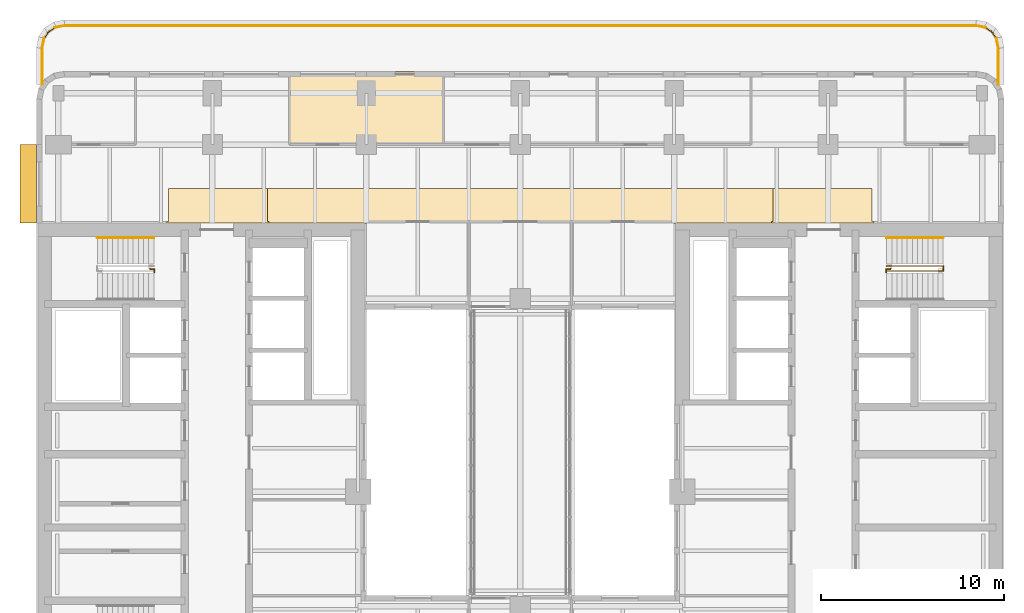
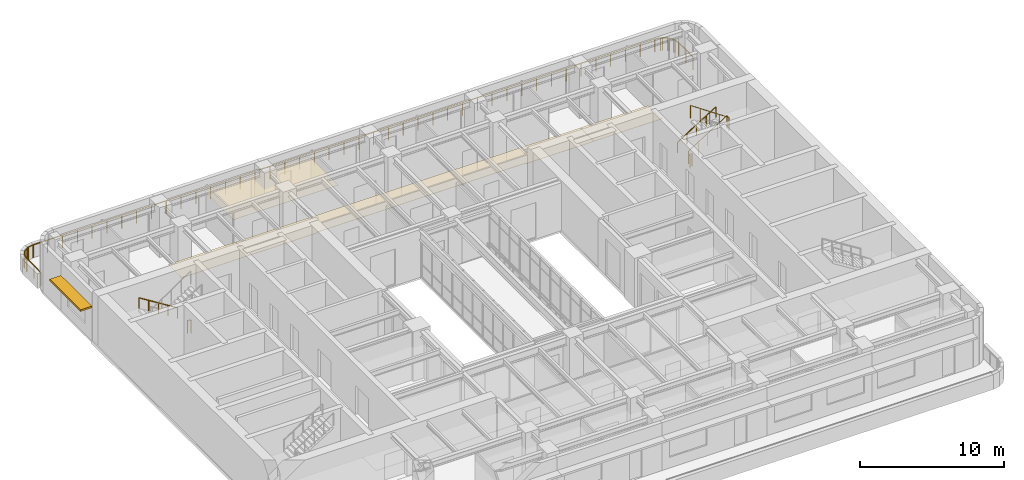
# One storey, part 15 of 15: 16 railings, 4 coverings, 1 shading device.
"""IFC4 building model written with IfcOpenShell, lengths in metres."""

from ifc_helpers import new_model, si_unit, direction, frame, origin, origin_2d, place, context, subcontext, project, spatial, polyline, rectangle, circle, outline, extrude, material, layer, layer_set, type_object, element, save


model = new_model("IFC4")

# Units and contexts
model_context = context("Model", 3, precision=1e-05, world=origin(), true_north=direction((0.0, 1.0)))
body_context = subcontext(model_context, "Body", "Model", "MODEL_VIEW")
ifc_project = project(units=[si_unit("LENGTHUNIT", "METRE"), si_unit("AREAUNIT", "SQUARE_METRE"), si_unit("VOLUMEUNIT", "CUBIC_METRE"), si_unit("PLANEANGLEUNIT", "RADIAN"), si_unit("MASSUNIT", "GRAM", prefix="KILO")], contexts=[model_context])

# Site, building, storey
site_placement = place(None, origin())
site = spatial("IfcSite", under=ifc_project, at=site_placement, CompositionType="ELEMENT")
building_placement = place(site_placement, origin())
building = spatial("IfcBuilding", under=site, at=building_placement, Name="Claustro Exchange Tower", CompositionType="ELEMENT")
storey_placement = place(building_placement, frame((0.0, 0.0, 173.39990234375)))
storey = spatial("IfcBuildingStorey", under=building, at=storey_placement, Name="L39", CompositionType="ELEMENT", Elevation=173.39990234375)

# Coverings
ifc_material_1 = material(Name="Perforated metal ceiling tiles", Category="steel")
ifc_layer_1 = layer(ifc_material_1, 0.030029296875)
ifc_layer_set_1 = layer_set([ifc_layer_1], Name="Perforated metal ceiling tiles")
covering_type_1 = type_object("IfcCoveringType", Name="CL1 suspended metal ceiling", PredefinedType="CEILING", material=ifc_layer_set_1)
covering_1_placement = place(storey_placement, frame((0.0, 0.0, 2.800048828125)))
element("IfcCovering", 1, at=covering_1_placement, inside=storey, type_object=covering_type_1, Name="Ceiling CL1 L39-22", PredefinedType="CEILING", context=body_context, shape_type="SweptSolid", body=[
    extrude(outline(polyline([(6.0, 37.800048828125), (5.905029296875, 37.800048828125), (5.905029296875, 37.72509765625), (11.4951171875, 37.72509765625), (11.4951171875, 37.800048828125), (11.39990234375, 37.800048828125), (11.39990234375, 39.60009765625), (6.0, 39.60009765625), (6.0, 37.800048828125)])), origin(), (0.0, 0.0, 1.0), 0.030029296875),
])
covering_2_placement = place(storey_placement, frame((0.0, 0.0, 2.800048828125)))
element("IfcCovering", 2, at=covering_2_placement, inside=storey, type_object=covering_type_1, Name="Ceiling CL1 L39-23", PredefinedType="CEILING", context=body_context, shape_type="SweptSolid", body=[
    extrude(outline(polyline([(11.39990234375, 37.800048828125), (11.304931640625, 37.800048828125), (11.304931640625, 37.72509765625), (16.72509765625, 37.72509765625), (16.72509765625, 37.705078125), (16.800048828125, 37.705078125), (16.800048828125, 37.800048828125), (33.60009765625, 37.800048828125), (33.60009765625, 37.705078125), (33.675048828125, 37.705078125), (33.675048828125, 37.72509765625), (39.094970703125, 37.72509765625), (39.094970703125, 37.800048828125), (39.0, 37.800048828125), (39.0, 39.60009765625), (11.39990234375, 39.60009765625), (11.39990234375, 37.800048828125)])), origin(), (0.0, 0.0, 1.0), 0.030029296875),
])
covering_3_placement = place(storey_placement, frame((0.0, 0.0, 2.800048828125)))
element("IfcCovering", 3, at=covering_3_placement, inside=storey, type_object=covering_type_1, Name="Ceiling CL1 L39-24", PredefinedType="CEILING", context=body_context, shape_type="SweptSolid", body=[
    extrude(outline(polyline([(39.0, 37.800048828125), (38.905029296875, 37.800048828125), (38.905029296875, 37.72509765625), (44.4951171875, 37.72509765625), (44.4951171875, 37.800048828125), (44.39990234375, 37.800048828125), (44.39990234375, 39.60009765625), (39.0, 39.60009765625), (39.0, 37.800048828125)])), origin(), (0.0, 0.0, 1.0), 0.030029296875),
])
ifc_material_2 = material(Name="Gypsum board ceiling", Category="gypsum board")
ifc_layer_2 = layer(ifc_material_2, 0.02490234375)
ifc_layer_set_2 = layer_set([ifc_layer_2], Name="Gypsum board ceiling")
covering_type_2 = type_object("IfcCoveringType", Name="CL2 plasterboard ceiling", PredefinedType="CEILING", material=ifc_layer_set_2)
covering_4_placement = place(storey_placement, frame((0.0, 0.0, 2.800048828125)))
element("IfcCovering", 4, at=covering_4_placement, inside=storey, type_object=covering_type_2, Name="Ceiling CL2 L39-27", PredefinedType="CEILING", context=body_context, shape_type="SweptSolid", body=[
    extrude(outline(polyline([(21.0, 46.0), (12.60009765625, 46.0), (12.60009765625, 42.0), (21.0, 42.0), (21.0, 46.0)])), origin(), (0.0, 0.0, 1.0), 0.025146484375),
])

# Railings
ifc_material_3 = material(Name="Steel balustrade, painted", Category="steel")
railing_type_1 = type_object("IfcRailingType", Name="GR2 1100 steel stair guard", PredefinedType="GUARDRAIL", material=ifc_material_3)
railing_1_placement = place(storey_placement, frame((5.0, 35.22998046875, 0.0)))
element("IfcRailing", 5, at=railing_1_placement, inside=storey, type_object=railing_type_1, Name="Stair guard GR2 STWB L39", PredefinedType="GUARDRAIL", context=body_context, shape_type="SweptSolid", body=[
    extrude(circle(Radius=0.02392578125, at=origin_2d()), frame((0.0, 0.0, 1.076171875), z_axis=(0.0, -1.0, 0.0), x_axis=(1.0, 0.0, 0.0)), (0.0, 0.0, 1.0), 0.030029296875),
    extrude(circle(Radius=0.02392578125, at=origin_2d()), frame((0.0, -0.030029296875, 1.076171875), z_axis=(1.0, 0.0, 0.0), x_axis=(0.0, 1.0, 0.0)), (0.0, 0.0, 1.0), 0.22509765625),
    extrude(circle(Radius=0.02392578125, at=origin_2d()), frame((0.22509765625, -0.030029296875, 1.076171875), z_axis=(0.0, -1.0, 0.0), x_axis=(1.0, 0.0, 0.0)), (0.0, 0.0, 1.0), 0.179931640625),
    extrude(circle(Radius=0.02099609375, at=origin_2d()), origin(), (0.0, 0.0, 1.0), 1.052001953125),
    extrude(circle(Radius=0.02099609375, at=origin_2d()), frame((0.0, -0.030029296875, 0.0)), (0.0, 0.0, 1.0), 1.052001953125),
    extrude(circle(Radius=0.02099609375, at=origin_2d()), frame((0.22509765625, -0.030029296875, 0.0)), (0.0, 0.0, 1.0), 1.052001953125),
    extrude(circle(Radius=0.02099609375, at=origin_2d()), frame((0.22509765625, -0.2099609375, 0.0)), (0.0, 0.0, 1.0), 1.052001953125),
])
railing_2_placement = place(storey_placement, frame((45.199951171875, 35.375, 0.175048828125)))
element("IfcRailing", 6, at=railing_2_placement, inside=storey, type_object=railing_type_1, Name="Stair well guard GR2 stair STEB L39", PredefinedType="GUARDRAIL", context=body_context, shape_type="SweptSolid", body=[
    extrude(circle(Radius=0.02392578125, at=origin_2d()), frame((0.0, 0.0, 1.076171875), z_axis=(0.847998304005, 0.0, 0.529998940003), x_axis=(0.0, 1.0, 0.0)), (0.0, 0.0, 1.0), 3.632080078125),
    extrude(circle(Radius=0.02392578125, at=origin_2d()), frame((3.080078125, 0.0, 3.0009765625), z_axis=(0.0, -1.0, 0.0), x_axis=(1.0, 0.0, 0.0)), (0.0, 0.0, 1.0), 0.27490234375),
    extrude(circle(Radius=0.02392578125, at=origin_2d()), frame((3.080078125, -0.27490234375, 3.0009765625), z_axis=(-0.826221800596, 0.0, 0.563344953133), x_axis=(0.0, -1.0, 0.0)), (0.0, 0.0, 1.0), 3.72802734375),
    extrude(circle(Radius=0.02099609375, at=origin_2d()), origin(), (0.0, 0.0, 1.0), 1.052001953125),
    extrude(circle(Radius=0.02099609375, at=origin_2d()), frame((0.77001953125, 0.0, 0.481201171875)), (0.0, 0.0, 1.0), 1.052001953125),
    extrude(circle(Radius=0.02099609375, at=origin_2d()), frame((1.5400390625, 0.0, 0.96240234375)), (0.0, 0.0, 1.0), 1.052001953125),
    extrude(circle(Radius=0.02099609375, at=origin_2d()), frame((2.31005859375, 0.0, 1.44384765625)), (0.0, 0.0, 1.0), 1.052001953125),
    extrude(circle(Radius=0.02099609375, at=origin_2d()), frame((3.080078125, 0.0, 1.925048828125)), (0.0, 0.0, 1.0), 1.052001953125),
    extrude(circle(Radius=0.02099609375, at=origin_2d()), frame((3.080078125, -0.27490234375, 1.925048828125)), (0.0, 0.0, 1.0), 1.052001953125),
    extrude(circle(Radius=0.02099609375, at=origin_2d()), frame((2.31005859375, -0.27490234375, 2.4501953125)), (0.0, 0.0, 1.0), 1.052001953125),
    extrude(circle(Radius=0.02099609375, at=origin_2d()), frame((1.5400390625, -0.27490234375, 2.97509765625)), (0.0, 0.0, 1.0), 1.052001953125),
    extrude(circle(Radius=0.02099609375, at=origin_2d()), frame((0.77001953125, -0.27490234375, 3.5)), (0.0, 0.0, 1.0), 1.052001953125),
    extrude(circle(Radius=0.02099609375, at=origin_2d()), frame((0.0, -0.27490234375, 4.025146484375)), (0.0, 0.0, 1.0), 1.052001953125),
])
railing_3_placement = place(storey_placement, frame((45.39990234375, 35.22998046875, 0.0)))
element("IfcRailing", 7, at=railing_3_placement, inside=storey, type_object=railing_type_1, Name="Stair guard GR2 STEB L39", PredefinedType="GUARDRAIL", context=body_context, shape_type="SweptSolid", body=[
    extrude(circle(Radius=0.02392578125, at=origin_2d()), frame((0.0, 0.0, 1.076171875), z_axis=(0.0, -1.0, 0.0), x_axis=(1.0, 0.0, 0.0)), (0.0, 0.0, 1.0), 0.030029296875),
    extrude(circle(Radius=0.02392578125, at=origin_2d()), frame((0.0, -0.030029296875, 1.076171875), z_axis=(-1.0, 0.0, 0.0), x_axis=(0.0, -1.0, 0.0)), (0.0, 0.0, 1.0), 0.224853515625),
    extrude(circle(Radius=0.02392578125, at=origin_2d()), frame((-0.224853515625, -0.030029296875, 1.076171875), z_axis=(0.0, -1.0, 0.0), x_axis=(1.0, 0.0, 0.0)), (0.0, 0.0, 1.0), 0.179931640625),
    extrude(circle(Radius=0.02099609375, at=origin_2d()), origin(), (0.0, 0.0, 1.0), 1.052001953125),
    extrude(circle(Radius=0.02099609375, at=origin_2d()), frame((0.0, -0.030029296875, 0.0)), (0.0, 0.0, 1.0), 1.052001953125),
    extrude(circle(Radius=0.02099609375, at=origin_2d()), frame((-0.224853515625, -0.030029296875, 0.0)), (0.0, 0.0, 1.0), 1.052001953125),
    extrude(circle(Radius=0.02099609375, at=origin_2d()), frame((-0.224853515625, -0.2099609375, 0.0)), (0.0, 0.0, 1.0), 1.052001953125),
])
ifc_material_4 = material(Name="Stainless steel posts and rail, laminated glass infill", Category="steel")
railing_type_2 = type_object("IfcRailingType", Name="GR3 1100 terrace guard railing", PredefinedType="GUARDRAIL", material=ifc_material_4)
railing_4_placement = place(storey_placement, frame((-0.828125, 47.701904296875, 0.0)))
element("IfcRailing", 8, at=railing_4_placement, inside=storey, type_object=railing_type_2, Name="Terrace guard GR3 L39", PredefinedType="GUARDRAIL", context=body_context, shape_type="SweptSolid", body=[
    extrude(circle(Radius=0.02392578125, at=origin_2d()), frame((0.0, 0.0, 1.076171875), z_axis=(0.555662511211, 0.831407946579, 0.0), x_axis=(-0.831407946579, 0.555662511211, 0.0)), (0.0, 0.0, 1.0), 0.585205078125),
    extrude(circle(Radius=0.02099609375, at=origin_2d()), origin(), (0.0, 0.0, 1.0), 1.052001953125),
    extrude(circle(Radius=0.02099609375, at=origin_2d()), frame((0.3251953125, 0.486572265625, 0.0)), (0.0, 0.0, 1.0), 1.052001953125),
])
railing_5_placement = place(storey_placement, frame((-0.58837890625, 48.10302734375, 0.0)))
element("IfcRailing", 9, at=railing_5_placement, inside=storey, type_object=railing_type_2, Name="Terrace guard GR3 L39", PredefinedType="GUARDRAIL", context=body_context, shape_type="SweptSolid", body=[
    extrude(circle(Radius=0.02392578125, at=origin_2d()), frame((0.0, 0.0, 1.076171875), z_axis=(0.831600663598, 0.555374050802, 0.0), x_axis=(-0.555374050802, 0.831600663598, 0.0)), (0.0, 0.0, 1.0), 0.585205078125),
    extrude(circle(Radius=0.02099609375, at=origin_2d()), origin(), (0.0, 0.0, 1.0), 1.052001953125),
    extrude(circle(Radius=0.02099609375, at=origin_2d()), frame((0.486572265625, 0.324951171875, 0.0)), (0.0, 0.0, 1.0), 1.052001953125),
])
railing_6_placement = place(storey_placement, frame((-0.21337890625, 48.3818359375, 0.0)))
element("IfcRailing", 10, at=railing_6_placement, inside=storey, type_object=railing_type_2, Name="Terrace guard GR3 L39", PredefinedType="GUARDRAIL", context=body_context, shape_type="SweptSolid", body=[
    extrude(circle(Radius=0.02392578125, at=origin_2d()), frame((0.0, 0.0, 1.076171875), z_axis=(0.980756771825, 0.195233589627, 0.0), x_axis=(-0.195233589627, 0.980756771825, 0.0)), (0.0, 0.0, 1.0), 0.585205078125),
    extrude(circle(Radius=0.02099609375, at=origin_2d()), origin(), (0.0, 0.0, 1.0), 1.052001953125),
    extrude(circle(Radius=0.02099609375, at=origin_2d()), frame((0.573974609375, 0.1142578125, 0.0)), (0.0, 0.0, 1.0), 1.052001953125),
])
railing_7_placement = place(storey_placement, frame((0.300048828125, 48.489990234375, 0.0)))
element("IfcRailing", 11, at=railing_7_placement, inside=storey, type_object=railing_type_2, Name="Terrace guard GR3 L39", PredefinedType="GUARDRAIL", context=body_context, shape_type="SweptSolid", body=[
    extrude(circle(Radius=0.02392578125, at=origin_2d()), frame((0.0, 0.0, 1.076171875), z_axis=(1.0, 0.0, 0.0), x_axis=(0.0, 1.0, 0.0)), (0.0, 0.0, 1.0), 49.800048828125),
    extrude(circle(Radius=0.02099609375, at=origin_2d()), origin(), (0.0, 0.0, 1.0), 1.052001953125),
    extrude(circle(Radius=0.02099609375, at=origin_2d()), frame((1.185791015625, 0.0, 0.0)), (0.0, 0.0, 1.0), 1.052001953125),
    extrude(circle(Radius=0.02099609375, at=origin_2d()), frame((2.371337890625, 0.0, 0.0)), (0.0, 0.0, 1.0), 1.052001953125),
    extrude(circle(Radius=0.02099609375, at=origin_2d()), frame((3.55712890625, 0.0, 0.0)), (0.0, 0.0, 1.0), 1.052001953125),
    extrude(circle(Radius=0.02099609375, at=origin_2d()), frame((4.742919921875, 0.0, 0.0)), (0.0, 0.0, 1.0), 1.052001953125),
    extrude(circle(Radius=0.02099609375, at=origin_2d()), frame((5.928466796875, 0.0, 0.0)), (0.0, 0.0, 1.0), 1.052001953125),
    extrude(circle(Radius=0.02099609375, at=origin_2d()), frame((7.1142578125, 0.0, 0.0)), (0.0, 0.0, 1.0), 1.052001953125),
    extrude(circle(Radius=0.02099609375, at=origin_2d()), frame((8.300048828125, 0.0, 0.0)), (0.0, 0.0, 1.0), 1.052001953125),
    extrude(circle(Radius=0.02099609375, at=origin_2d()), frame((9.48583984375, 0.0, 0.0)), (0.0, 0.0, 1.0), 1.052001953125),
    extrude(circle(Radius=0.02099609375, at=origin_2d()), frame((10.67138671875, 0.0, 0.0)), (0.0, 0.0, 1.0), 1.052001953125),
    extrude(circle(Radius=0.02099609375, at=origin_2d()), frame((11.857177734375, 0.0, 0.0)), (0.0, 0.0, 1.0), 1.052001953125),
    extrude(circle(Radius=0.02099609375, at=origin_2d()), frame((13.04296875, 0.0, 0.0)), (0.0, 0.0, 1.0), 1.052001953125),
    extrude(circle(Radius=0.02099609375, at=origin_2d()), frame((14.228515625, 0.0, 0.0)), (0.0, 0.0, 1.0), 1.052001953125),
    extrude(circle(Radius=0.02099609375, at=origin_2d()), frame((15.414306640625, 0.0, 0.0)), (0.0, 0.0, 1.0), 1.052001953125),
    extrude(circle(Radius=0.02099609375, at=origin_2d()), frame((16.60009765625, 0.0, 0.0)), (0.0, 0.0, 1.0), 1.052001953125),
    extrude(circle(Radius=0.02099609375, at=origin_2d()), frame((17.78564453125, 0.0, 0.0)), (0.0, 0.0, 1.0), 1.052001953125),
    extrude(circle(Radius=0.02099609375, at=origin_2d()), frame((18.971435546875, 0.0, 0.0)), (0.0, 0.0, 1.0), 1.052001953125),
    extrude(circle(Radius=0.02099609375, at=origin_2d()), frame((20.1572265625, 0.0, 0.0)), (0.0, 0.0, 1.0), 1.052001953125),
    extrude(circle(Radius=0.02099609375, at=origin_2d()), frame((21.3427734375, 0.0, 0.0)), (0.0, 0.0, 1.0), 1.052001953125),
    extrude(circle(Radius=0.02099609375, at=origin_2d()), frame((22.528564453125, 0.0, 0.0)), (0.0, 0.0, 1.0), 1.052001953125),
    extrude(circle(Radius=0.02099609375, at=origin_2d()), frame((23.71435546875, 0.0, 0.0)), (0.0, 0.0, 1.0), 1.052001953125),
    extrude(circle(Radius=0.02099609375, at=origin_2d()), frame((24.89990234375, 0.0, 0.0)), (0.0, 0.0, 1.0), 1.052001953125),
    extrude(circle(Radius=0.02099609375, at=origin_2d()), frame((26.085693359375, 0.0, 0.0)), (0.0, 0.0, 1.0), 1.052001953125),
    extrude(circle(Radius=0.02099609375, at=origin_2d()), frame((27.271484375, 0.0, 0.0)), (0.0, 0.0, 1.0), 1.052001953125),
    extrude(circle(Radius=0.02099609375, at=origin_2d()), frame((28.457275390625, 0.0, 0.0)), (0.0, 0.0, 1.0), 1.052001953125),
    extrude(circle(Radius=0.02099609375, at=origin_2d()), frame((29.642822265625, 0.0, 0.0)), (0.0, 0.0, 1.0), 1.052001953125),
    extrude(circle(Radius=0.02099609375, at=origin_2d()), frame((30.82861328125, 0.0, 0.0)), (0.0, 0.0, 1.0), 1.052001953125),
    extrude(circle(Radius=0.02099609375, at=origin_2d()), frame((32.014404296875, 0.0, 0.0)), (0.0, 0.0, 1.0), 1.052001953125),
    extrude(circle(Radius=0.02099609375, at=origin_2d()), frame((33.199951171875, 0.0, 0.0)), (0.0, 0.0, 1.0), 1.052001953125),
    extrude(circle(Radius=0.02099609375, at=origin_2d()), frame((34.3857421875, 0.0, 0.0)), (0.0, 0.0, 1.0), 1.052001953125),
    extrude(circle(Radius=0.02099609375, at=origin_2d()), frame((35.571533203125, 0.0, 0.0)), (0.0, 0.0, 1.0), 1.052001953125),
    extrude(circle(Radius=0.02099609375, at=origin_2d()), frame((36.757080078125, 0.0, 0.0)), (0.0, 0.0, 1.0), 1.052001953125),
    extrude(circle(Radius=0.02099609375, at=origin_2d()), frame((37.94287109375, 0.0, 0.0)), (0.0, 0.0, 1.0), 1.052001953125),
    extrude(circle(Radius=0.02099609375, at=origin_2d()), frame((39.128662109375, 0.0, 0.0)), (0.0, 0.0, 1.0), 1.052001953125),
    extrude(circle(Radius=0.02099609375, at=origin_2d()), frame((40.314208984375, 0.0, 0.0)), (0.0, 0.0, 1.0), 1.052001953125),
    extrude(circle(Radius=0.02099609375, at=origin_2d()), frame((41.5, 0.0, 0.0)), (0.0, 0.0, 1.0), 1.052001953125),
    extrude(circle(Radius=0.02099609375, at=origin_2d()), frame((42.685791015625, 0.0, 0.0)), (0.0, 0.0, 1.0), 1.052001953125),
    extrude(circle(Radius=0.02099609375, at=origin_2d()), frame((43.87158203125, 0.0, 0.0)), (0.0, 0.0, 1.0), 1.052001953125),
    extrude(circle(Radius=0.02099609375, at=origin_2d()), frame((45.05712890625, 0.0, 0.0)), (0.0, 0.0, 1.0), 1.052001953125),
    extrude(circle(Radius=0.02099609375, at=origin_2d()), frame((46.242919921875, 0.0, 0.0)), (0.0, 0.0, 1.0), 1.052001953125),
    extrude(circle(Radius=0.02099609375, at=origin_2d()), frame((47.4287109375, 0.0, 0.0)), (0.0, 0.0, 1.0), 1.052001953125),
    extrude(circle(Radius=0.02099609375, at=origin_2d()), frame((48.6142578125, 0.0, 0.0)), (0.0, 0.0, 1.0), 1.052001953125),
    extrude(circle(Radius=0.02099609375, at=origin_2d()), frame((49.800048828125, 0.0, 0.0)), (0.0, 0.0, 1.0), 1.052001953125),
])
railing_8_placement = place(storey_placement, frame((50.03955078125, 48.49609375, 0.0)))
element("IfcRailing", 12, at=railing_8_placement, inside=storey, type_object=railing_type_2, Name="Terrace guard GR3 L39", PredefinedType="GUARDRAIL", context=body_context, shape_type="SweptSolid", body=[
    extrude(circle(Radius=0.02392578125, at=origin_2d()), frame((0.0, 0.0, 1.076171875), z_axis=(0.980756771825, -0.195233589627, 0.0), x_axis=(0.195233589627, 0.980756771825, 0.0)), (0.0, 0.0, 1.0), 0.585205078125),
    extrude(circle(Radius=0.02099609375, at=origin_2d()), origin(), (0.0, 0.0, 1.0), 1.052001953125),
    extrude(circle(Radius=0.02099609375, at=origin_2d()), frame((0.573974609375, -0.1142578125, 0.0)), (0.0, 0.0, 1.0), 1.052001953125),
])
railing_9_placement = place(storey_placement, frame((50.501708984375, 48.427978515625, 0.0)))
element("IfcRailing", 13, at=railing_9_placement, inside=storey, type_object=railing_type_2, Name="Terrace guard GR3 L39", PredefinedType="GUARDRAIL", context=body_context, shape_type="SweptSolid", body=[
    extrude(circle(Radius=0.02392578125, at=origin_2d()), frame((0.0, 0.0, 1.076171875), z_axis=(0.831729296682, -0.555181391115, 0.0), x_axis=(0.555181391115, 0.831729296682, 0.0)), (0.0, 0.0, 1.0), 0.585205078125),
    extrude(circle(Radius=0.02099609375, at=origin_2d()), origin(), (0.0, 0.0, 1.0), 1.052001953125),
    extrude(circle(Radius=0.02099609375, at=origin_2d()), frame((0.48681640625, -0.324951171875, 0.0)), (0.0, 0.0, 1.0), 1.052001953125),
])
railing_10_placement = place(storey_placement, frame((50.903076171875, 48.1884765625, 0.0)))
element("IfcRailing", 14, at=railing_10_placement, inside=storey, type_object=railing_type_2, Name="Terrace guard GR3 L39", PredefinedType="GUARDRAIL", context=body_context, shape_type="SweptSolid", body=[
    extrude(circle(Radius=0.02392578125, at=origin_2d()), frame((0.0, 0.0, 1.076171875), z_axis=(0.555374050802, -0.831600663598, 0.0), x_axis=(0.831600663598, 0.555374050802, 0.0)), (0.0, 0.0, 1.0), 0.585205078125),
    extrude(circle(Radius=0.02099609375, at=origin_2d()), origin(), (0.0, 0.0, 1.0), 1.052001953125),
    extrude(circle(Radius=0.02099609375, at=origin_2d()), frame((0.324951171875, -0.486572265625, 0.0)), (0.0, 0.0, 1.0), 1.052001953125),
])
railing_11_placement = place(storey_placement, frame((51.181884765625, 47.8134765625, 0.0)))
element("IfcRailing", 15, at=railing_11_placement, inside=storey, type_object=railing_type_2, Name="Terrace guard GR3 L39", PredefinedType="GUARDRAIL", context=body_context, shape_type="SweptSolid", body=[
    extrude(circle(Radius=0.02392578125, at=origin_2d()), frame((0.0, 0.0, 1.076171875), z_axis=(0.1948322756, -0.980836573739, 0.0), x_axis=(0.980836573739, 0.1948322756, 0.0)), (0.0, 0.0, 1.0), 0.585205078125),
    extrude(circle(Radius=0.02099609375, at=origin_2d()), origin(), (0.0, 0.0, 1.0), 1.052001953125),
    extrude(circle(Radius=0.02099609375, at=origin_2d()), frame((0.114013671875, -0.573974609375, 0.0)), (0.0, 0.0, 1.0), 1.052001953125),
])
railing_12_placement = place(storey_placement, frame((51.2900390625, 47.300048828125, 0.0)))
element("IfcRailing", 16, at=railing_12_placement, inside=storey, type_object=railing_type_2, Name="Terrace guard GR3 L39", PredefinedType="GUARDRAIL", context=body_context, shape_type="SweptSolid", body=[
    extrude(circle(Radius=0.02392578125, at=origin_2d()), frame((0.0, 0.0, 1.076171875), z_axis=(0.0, -1.0, 0.0), x_axis=(1.0, 0.0, 0.0)), (0.0, 0.0, 1.0), 2.023193359375),
    extrude(circle(Radius=0.02099609375, at=origin_2d()), origin(), (0.0, 0.0, 1.0), 1.052001953125),
    extrude(circle(Radius=0.02099609375, at=origin_2d()), frame((0.0, -1.01171875, 0.0)), (0.0, 0.0, 1.0), 1.052001953125),
    extrude(circle(Radius=0.02099609375, at=origin_2d()), frame((0.0, -2.023193359375, 0.0)), (0.0, 0.0, 1.0), 1.052001953125),
])
railing_13_placement = place(storey_placement, frame((-0.889892578125, 45.27685546875, 0.0)))
element("IfcRailing", 17, at=railing_13_placement, inside=storey, type_object=railing_type_2, Name="Terrace guard GR3 L39", PredefinedType="GUARDRAIL", context=body_context, shape_type="SweptSolid", body=[
    extrude(circle(Radius=0.02392578125, at=origin_2d()), frame((0.0, 0.0, 1.076171875), z_axis=(0.0, 1.0, 0.0), x_axis=(-1.0, 0.0, 0.0)), (0.0, 0.0, 1.0), 2.023193359375),
    extrude(circle(Radius=0.02099609375, at=origin_2d()), origin(), (0.0, 0.0, 1.0), 1.052001953125),
    extrude(circle(Radius=0.02099609375, at=origin_2d()), frame((0.0, 1.01171875, 0.0)), (0.0, 0.0, 1.0), 1.052001953125),
    extrude(circle(Radius=0.02099609375, at=origin_2d()), frame((0.0, 2.023193359375, 0.0)), (0.0, 0.0, 1.0), 1.052001953125),
])
railing_14_placement = place(storey_placement, frame((-0.89599609375, 47.239501953125, 0.0)))
element("IfcRailing", 18, at=railing_14_placement, inside=storey, type_object=railing_type_2, Name="Terrace guard GR3 L39", PredefinedType="GUARDRAIL", context=body_context, shape_type="SweptSolid", body=[
    extrude(circle(Radius=0.02392578125, at=origin_2d()), frame((0.0, 0.0, 1.076171875), z_axis=(0.195233589627, 0.980756771825, 0.0), x_axis=(-0.980756771825, 0.195233589627, 0.0)), (0.0, 0.0, 1.0), 0.585205078125),
    extrude(circle(Radius=0.02099609375, at=origin_2d()), origin(), (0.0, 0.0, 1.0), 1.052001953125),
    extrude(circle(Radius=0.02099609375, at=origin_2d()), frame((0.1142578125, 0.573974609375, 0.0)), (0.0, 0.0, 1.0), 1.052001953125),
])
ifc_material_5 = material(Name="Stainless steel tube", Category="steel")
railing_type_3 = type_object("IfcRailingType", Name="HR1 900 stair handrail", PredefinedType="HANDRAIL", material=ifc_material_5)
railing_15_placement = place(storey_placement, frame((5.199951171875, 36.9150390625, 0.175048828125)))
element("IfcRailing", 19, at=railing_15_placement, inside=storey, type_object=railing_type_3, Name="Handrail HR1 stair STWB L39", PredefinedType="HANDRAIL", context=body_context, shape_type="SweptSolid", body=[
    extrude(circle(Radius=0.02392578125, at=origin_2d()), frame((0.0, 0.0, 0.8759765625), z_axis=(-0.847979421464, 0.0, 0.530029150871), x_axis=(0.0, -1.0, 0.0)), (0.0, 0.0, 1.0), 3.632080078125),
    extrude(circle(Radius=0.02099609375, at=origin_2d()), origin(), (0.0, 0.0, 1.0), 0.851806640625),
    extrude(circle(Radius=0.02099609375, at=origin_2d()), frame((-0.77001953125, 0.0, 0.481201171875)), (0.0, 0.0, 1.0), 0.851806640625),
    extrude(circle(Radius=0.02099609375, at=origin_2d()), frame((-1.5400390625, 0.0, 0.96240234375)), (0.0, 0.0, 1.0), 0.851806640625),
    extrude(circle(Radius=0.02099609375, at=origin_2d()), frame((-2.309814453125, 0.0, 1.44384765625)), (0.0, 0.0, 1.0), 0.851806640625),
    extrude(circle(Radius=0.02099609375, at=origin_2d()), frame((-3.079833984375, 0.0, 1.925048828125)), (0.0, 0.0, 1.0), 0.851806640625),
])
railing_16_placement = place(storey_placement, frame((45.199951171875, 36.9150390625, 0.175048828125)))
element("IfcRailing", 20, at=railing_16_placement, inside=storey, type_object=railing_type_3, Name="Handrail HR1 stair STEB L39", PredefinedType="HANDRAIL", context=body_context, shape_type="SweptSolid", body=[
    extrude(circle(Radius=0.02392578125, at=origin_2d()), frame((0.0, 0.0, 0.8759765625), z_axis=(0.847998304005, 0.0, 0.529998940003), x_axis=(0.0, 1.0, 0.0)), (0.0, 0.0, 1.0), 3.632080078125),
    extrude(circle(Radius=0.02099609375, at=origin_2d()), origin(), (0.0, 0.0, 1.0), 0.851806640625),
    extrude(circle(Radius=0.02099609375, at=origin_2d()), frame((0.77001953125, 0.0, 0.481201171875)), (0.0, 0.0, 1.0), 0.851806640625),
    extrude(circle(Radius=0.02099609375, at=origin_2d()), frame((1.5400390625, 0.0, 0.96240234375)), (0.0, 0.0, 1.0), 0.851806640625),
    extrude(circle(Radius=0.02099609375, at=origin_2d()), frame((2.31005859375, 0.0, 1.44384765625)), (0.0, 0.0, 1.0), 0.851806640625),
    extrude(circle(Radius=0.02099609375, at=origin_2d()), frame((3.080078125, 0.0, 1.925048828125)), (0.0, 0.0, 1.0), 0.851806640625),
])

# Shading device
ifc_material_6 = material(Name="Concrete HA-40 (C40/50), precast, white cement, acid-etched", Category="concrete")
ifc_layer_3 = layer(ifc_material_6, 0.14990234375)
ifc_layer_set_3 = layer_set([ifc_layer_3], Name="Concrete HA-40 (C40/50), precast, white cement, acid-etched")
shading_device_type = type_object("IfcShadingDeviceType", Name="SS2 900 precast concrete SUNSHADE", PredefinedType="SHUTTER", material=ifc_layer_set_3)
shading_device_placement = place(storey_placement, frame((-1.64990234375, 39.862548828125, 2.800048828125), z_axis=(0.0, 0.0, 1.0), x_axis=(0.0, 1.0, 0.0)))
element("IfcShadingDevice", 21, at=shading_device_placement, inside=storey, type_object=shading_device_type, Name="Precast SUNSHADE SS2 L39", PredefinedType="SHUTTER", context=body_context, shape_type="SweptSolid", body=[
    extrude(rectangle(XDim=4.27490234375, YDim=0.89990234375, at=origin_2d()), origin(), (0.0, 0.0, 1.0), 0.14990234375),
])

save(model, "model.ifc")
